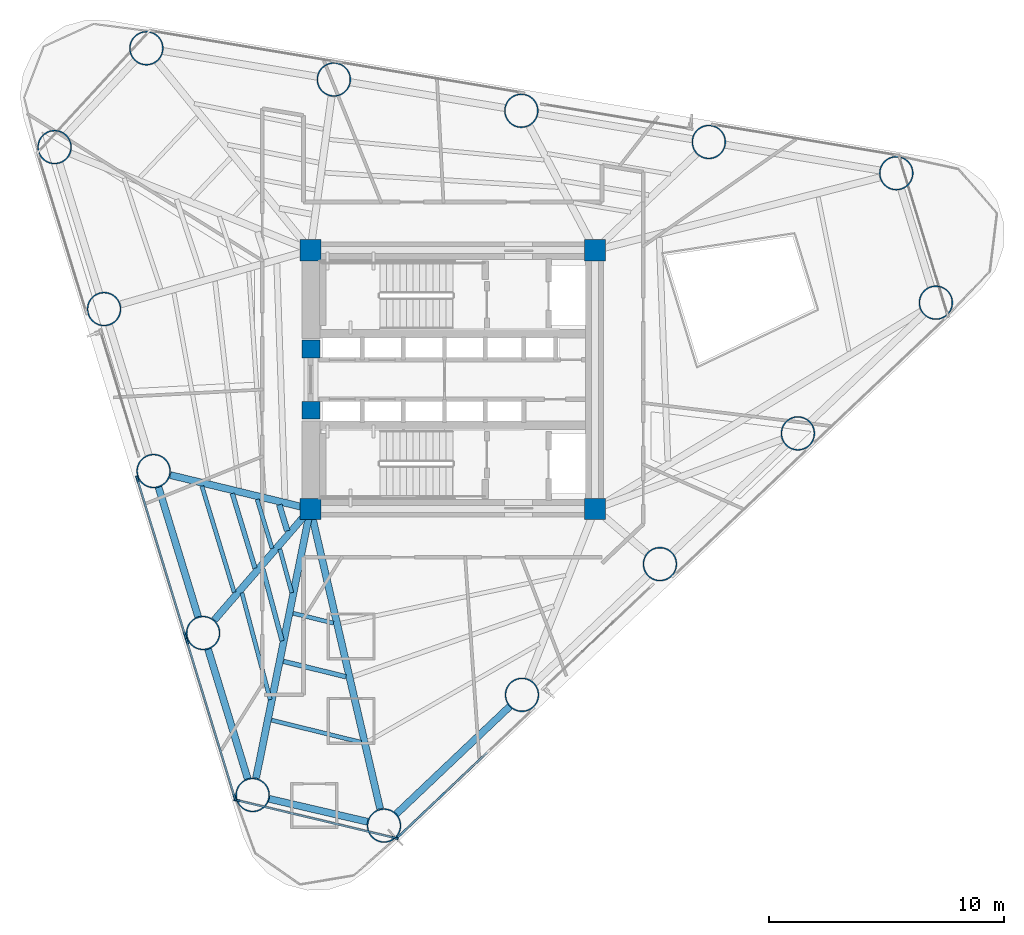
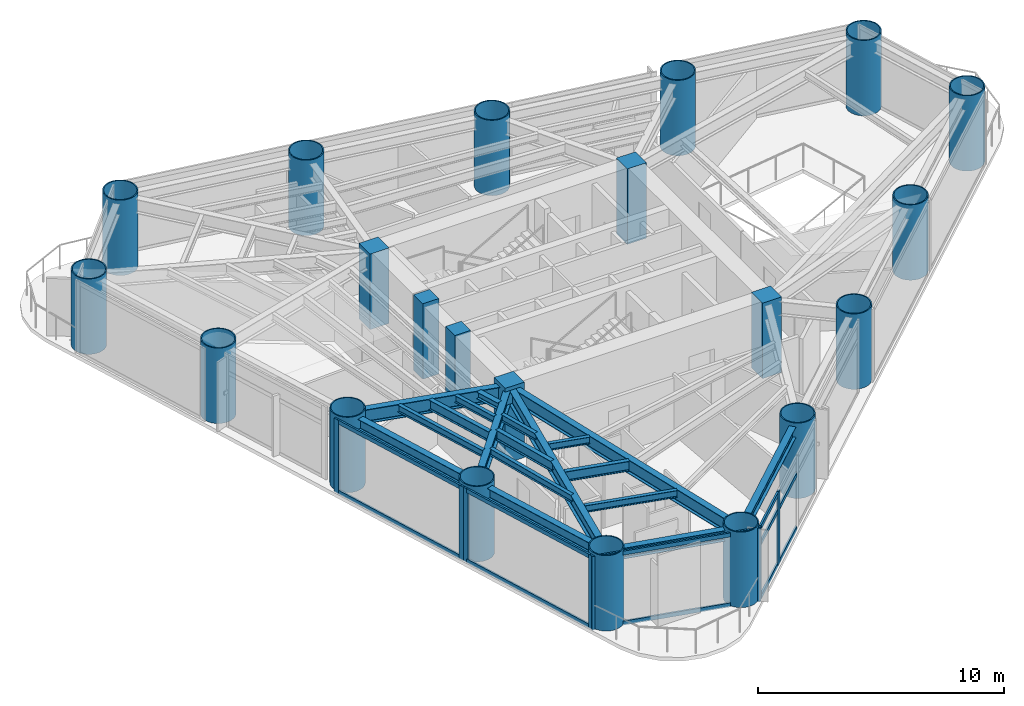
# One storey, part 1 of 10: 21 columns, 19 members, 18 beams, 4 elements without a shape of their own.
"""IFC4 building model written with IfcOpenShell, lengths in metres."""

from ifc_helpers import new_model, si_unit, direction, frame, origin, origin_2d, place, context, subcontext, project, spatial, rectangle, hollow_circle, i_section, extrude, source, transform, mapped, material, layer, layer_set, material_profile, profile_set, type_object, element, aggregate, save


model = new_model("IFC4")

# Units and contexts
model_context = context("Model", 3, precision=1e-05, world=origin(), true_north=direction((0.0, 1.0)))
body_context = subcontext(model_context, "Body", "Model", "MODEL_VIEW")
ifc_project = project(units=[si_unit("LENGTHUNIT", "METRE"), si_unit("AREAUNIT", "SQUARE_METRE"), si_unit("VOLUMEUNIT", "CUBIC_METRE"), si_unit("PLANEANGLEUNIT", "RADIAN"), si_unit("MASSUNIT", "GRAM", prefix="KILO")], contexts=[model_context])

# Site, building, storey
site_placement = place(None, origin())
site = spatial("IfcSite", under=ifc_project, at=site_placement, CompositionType="ELEMENT")
building_placement = place(site_placement, origin())
building = spatial("IfcBuilding", under=site, at=building_placement, Name="Yunling Apex Tower", CompositionType="ELEMENT")
storey_placement = place(building_placement, frame((0.0, 0.0, 101.14990234375)))
storey = spatial("IfcBuildingStorey", under=building, at=storey_placement, Name="L25", CompositionType="ELEMENT", Elevation=101.14990234375)

# Columns
ifc_material_1 = material(Name="Concrete C60", Category="concrete")
ifc_material_profile_1 = material_profile(ifc_material_1, rectangle(XDim=0.89990234375, YDim=0.89990234375, at=origin_2d()))
ifc_profile_set_1 = profile_set([ifc_material_profile_1], Name="Concrete C60")
column_type_1 = type_object("IfcColumnType", Name="PC-SRC-3", PredefinedType="COLUMN", material=ifc_profile_set_1)
shared_shape_1 = source(origin(), body_context, "Body", "SweptSolid", [
    extrude(rectangle(XDim=0.89990234375, YDim=0.89990234375, at=origin_2d()), origin(), (0.0, 0.0, 1.0), 3.75),
])
for number, where, z_axis, x_axis, name in (
    (1, (-6.050048828125, -5.5, 0.0), (0.0, 0.0, 1.0), (1.0, 0.0, 0.0), "L25 Core Spine Column CC-SW"),
    (2, (6.050048828125, -5.5, 0.0), (0.0, 0.0, 1.0), (1.0, 0.0, 0.0), "L25 Core Spine Column CC-SE"),
    (3, (6.050048828125, 5.5, 0.0), (0.0, 0.0, 1.0), (1.0, 0.0, 0.0), "L25 Core Spine Column CC-NE"),
    (4, (-6.050048828125, 5.5, 0.0), (0.0, 0.0, 1.0), (1.0, 0.0, 0.0), "L25 Core Spine Column CC-NW"),
):
    element("IfcColumn", number, at=place(storey_placement, frame(where, z_axis=z_axis, x_axis=x_axis)), inside=storey, type_object=column_type_1, Name=name, PredefinedType="COLUMN", context=body_context, shape_type="MappedRepresentation", body=[
        mapped(shared_shape_1, transform((0.0, 0.0, 0.0), scale=1.0)),
    ])
ifc_material_2 = material(Name="Concrete C50", Category="concrete")
ifc_material_profile_2 = material_profile(ifc_material_2, rectangle(XDim=0.75, YDim=0.75, at=origin_2d()))
ifc_profile_set_2 = profile_set([ifc_material_profile_2], Name="Concrete C50")
column_type_2 = type_object("IfcColumnType", Name="PC-SRC-4", PredefinedType="COLUMN", material=ifc_profile_set_2)
shared_shape_2 = source(origin(), body_context, "Body", "SweptSolid", [
    extrude(rectangle(XDim=0.75, YDim=0.75, at=origin_2d()), origin(), (0.0, 0.0, 1.0), 3.75),
])
for number, where, z_axis, x_axis, name in (
    (5, (-6.02490234375, -1.300048828125, 0.0), (0.0, 0.0, 1.0), (1.0, 0.0, 0.0), "L25 Core West Portal Jamb Column S"),
    (6, (-6.02490234375, 1.300048828125, 0.0), (0.0, 0.0, 1.0), (1.0, 0.0, 0.0), "L25 Core West Portal Jamb Column N"),
):
    element("IfcColumn", number, at=place(storey_placement, frame(where, z_axis=z_axis, x_axis=x_axis)), inside=storey, type_object=column_type_2, Name=name, PredefinedType="COLUMN", context=body_context, shape_type="MappedRepresentation", body=[
        mapped(shared_shape_2, transform((0.0, 0.0, 0.0), scale=1.0)),
    ])
ifc_material_3 = material(Name="Steel Q390GJC", Category="steel")
ifc_material_profile_3 = material_profile(ifc_material_3, hollow_circle(Radius=0.72509765625, WallThickness=0.050048828125, at=origin_2d()))
ifc_profile_set_3 = profile_set([ifc_material_profile_3], Name="Steel Q390GJC")
column_type_3 = type_object("IfcColumnType", Name="MC-CFST-2", PredefinedType="COLUMN", material=ifc_profile_set_3)
shared_shape_3 = source(origin(), body_context, "Body", "SweptSolid", [
    extrude(hollow_circle(Radius=0.72509765625, WallThickness=0.050048828125, at=origin_2d()), origin(), (0.0, 0.0, 1.0), 3.75),
])
for number, where, z_axis, x_axis, name in (
    (7, (-2.92138671875, -18.960205078125, 0.0), (0.0, 0.0, 1.0), (1.0, 0.0, 0.0), "L25 Perimeter CFST Mega-Column P01"),
    (8, (2.943359375, -13.40234375, 0.0), (0.0, 0.0, 1.0), (1.0, 0.0, 0.0), "L25 Perimeter CFST Mega-Column P02"),
    (9, (8.80810546875, -7.8447265625, 0.0), (0.0, 0.0, 1.0), (1.0, 0.0, 0.0), "L25 Perimeter CFST Mega-Column P03"),
    (10, (14.6728515625, -2.287109375, 0.0), (0.0, 0.0, 1.0), (1.0, 0.0, 0.0), "L25 Perimeter CFST Mega-Column P04"),
    (11, (20.53759765625, 3.2705078125, 0.0), (0.0, 0.0, 1.0), (1.0, 0.0, 0.0), "L25 Perimeter CFST Mega-Column P05"),
    (12, (18.855224609375, 8.77294921875, 0.0), (0.0, 0.0, 1.0), (1.0, 0.0, 0.0), "L25 Perimeter CFST Mega-Column P06"),
    (13, (10.88525390625, 10.10107421875, 0.0), (0.0, 0.0, 1.0), (1.0, 0.0, 0.0), "L25 Perimeter CFST Mega-Column P07"),
    (14, (2.915283203125, 11.428955078125, 0.0), (0.0, 0.0, 1.0), (1.0, 0.0, 0.0), "L25 Perimeter CFST Mega-Column P08"),
    (15, (-5.054443359375, 12.757080078125, 0.0), (0.0, 0.0, 1.0), (1.0, 0.0, 0.0), "L25 Perimeter CFST Mega-Column P09"),
    (16, (-13.0244140625, 14.0849609375, 0.0), (0.0, 0.0, 1.0), (1.0, 0.0, 0.0), "L25 Perimeter CFST Mega-Column P10"),
    (17, (-16.927490234375, 9.88330078125, 0.0), (0.0, 0.0, 1.0), (1.0, 0.0, 0.0), "L25 Perimeter CFST Mega-Column P11"),
    (18, (-14.822509765625, 2.99755859375, 0.0), (0.0, 0.0, 1.0), (1.0, 0.0, 0.0), "L25 Perimeter CFST Mega-Column P12"),
    (19, (-12.71728515625, -3.887939453125, 0.0), (0.0, 0.0, 1.0), (1.0, 0.0, 0.0), "L25 Perimeter CFST Mega-Column P13"),
    (20, (-10.612060546875, -10.773681640625, 0.0), (0.0, 0.0, 1.0), (1.0, 0.0, 0.0), "L25 Perimeter CFST Mega-Column P14"),
    (21, (-8.5068359375, -17.6591796875, 0.0), (0.0, 0.0, 1.0), (1.0, 0.0, 0.0), "L25 Perimeter CFST Mega-Column P15"),
):
    element("IfcColumn", number, at=place(storey_placement, frame(where, z_axis=z_axis, x_axis=x_axis)), inside=storey, type_object=column_type_3, Name=name, PredefinedType="COLUMN", context=body_context, shape_type="MappedRepresentation", body=[
        mapped(shared_shape_3, transform((0.0, 0.0, 0.0), scale=1.0)),
    ])

# Beams
ifc_material_4 = material(Name="Steel Q355B", Category="steel")
ifc_material_profile_4 = material_profile(ifc_material_4, i_section(OverallWidth=0.300048828125, OverallDepth=0.5400390625, WebThickness=0.011962890625, FlangeThickness=0.02001953125, FilletRadius=0.02392578125, at=origin_2d()))
ifc_profile_set_4 = profile_set([ifc_material_profile_4], Name="Steel Q355B")
beam_type_1 = type_object("IfcBeamType", Name="BP-SPN-1", PredefinedType="SPANDREL", material=ifc_profile_set_4)
shared_shape_4 = source(origin(), body_context, "Body", "SweptSolid", [
    extrude(i_section(OverallWidth=0.300048828125, OverallDepth=0.5400390625, WebThickness=0.011962890625, FlangeThickness=0.02001953125, FilletRadius=0.02392578125, at=origin_2d()), origin(), (0.0, 0.0, 1.0), 6.6416015625),
])
beam_1_placement = place(storey_placement, frame((-2.3994140625, -18.465576171875, 3.295166015625), z_axis=(0.725837728974, 0.68786596892, 0.0), x_axis=(-0.68786596892, 0.725837728974, 0.0)))
element("IfcBeam", 22, at=beam_1_placement, inside=storey, type_object=beam_type_1, Name="L25 Perimeter Spandrel Beam 1", PredefinedType="SPANDREL", context=body_context, shape_type="MappedRepresentation", body=[
    mapped(shared_shape_4, transform((0.0, 0.0, 0.0), scale=1.0)),
])
shared_shape_5 = source(origin(), body_context, "Body", "SweptSolid", [
    extrude(i_section(OverallWidth=0.300048828125, OverallDepth=0.5400390625, WebThickness=0.011962890625, FlangeThickness=0.02001953125, FilletRadius=0.02392578125, at=origin_2d()), origin(), (0.0, 0.0, 1.0), 5.76220703125),
])
for number, where, z_axis, x_axis, name in (
    (23, (-12.507080078125, -4.57568359375, 3.295166015625), (0.292385374143, -0.956300576695, 0.0), (0.956300576695, 0.292385374143, 0.0), "L25 Perimeter Spandrel Beam 13"),
    (24, (-10.40185546875, -11.461181640625, 3.295166015625), (0.292385374143, -0.956300576695, 0.0), (0.956300576695, 0.292385374143, 0.0), "L25 Perimeter Spandrel Beam 14"),
):
    element("IfcBeam", number, at=place(storey_placement, frame(where, z_axis=z_axis, x_axis=x_axis)), inside=storey, type_object=beam_type_1, Name=name, PredefinedType="SPANDREL", context=body_context, shape_type="MappedRepresentation", body=[
        mapped(shared_shape_5, transform((0.0, 0.0, 0.0), scale=1.0)),
    ])
shared_shape_6 = source(origin(), body_context, "Body", "SweptSolid", [
    extrude(i_section(OverallWidth=0.300048828125, OverallDepth=0.5400390625, WebThickness=0.011962890625, FlangeThickness=0.02001953125, FilletRadius=0.02392578125, at=origin_2d()), origin(), (0.0, 0.0, 1.0), 4.297119140625),
])
beam_2_placement = place(storey_placement, frame((-7.806640625, -17.822509765625, 3.295166015625), z_axis=(0.973939184954, -0.226809312002, 0.0), x_axis=(0.226809312002, 0.973939184954, 0.0)))
element("IfcBeam", 25, at=beam_2_placement, inside=storey, type_object=beam_type_1, Name="L25 Perimeter Spandrel Beam 15", PredefinedType="SPANDREL", context=body_context, shape_type="MappedRepresentation", body=[
    mapped(shared_shape_6, transform((0.0, 0.0, 0.0), scale=1.0)),
])
ifc_material_profile_5 = material_profile(ifc_material_4, i_section(OverallWidth=0.300048828125, OverallDepth=0.699951171875, WebThickness=0.012939453125, FlangeThickness=0.02392578125, FilletRadius=0.02587890625, at=origin_2d()))
ifc_profile_set_5 = profile_set([ifc_material_profile_5], Name="Steel Q355B")
beam_type_2 = type_object("IfcBeamType", Name="BG-PRI-3", PredefinedType="USERDEFINED", material=ifc_profile_set_5)
shared_shape_7 = source(origin(), body_context, "Body", "SweptSolid", [
    extrude(i_section(OverallWidth=0.300048828125, OverallDepth=0.699951171875, WebThickness=0.012939453125, FlangeThickness=0.02392578125, FilletRadius=0.02587890625, at=origin_2d()), origin(), (0.0, 0.0, 1.0), 13.005859375),
])
beam_3_placement = place(storey_placement, frame((-3.08740234375, -18.24609375, 3.215087890625), z_axis=(-0.226402915749, 0.974033736449, 0.0), x_axis=(-0.974033736449, -0.226402915749, 0.0)))
element("IfcBeam", 26, at=beam_3_placement, inside=storey, type_object=beam_type_2, Name="L25 Radial Primary Girder R01", ObjectType="GIRDER", PredefinedType="USERDEFINED", context=body_context, shape_type="MappedRepresentation", body=[
    mapped(shared_shape_7, transform((0.0, 0.0, 0.0), scale=1.0)),
])
shared_shape_8 = source(origin(), body_context, "Body", "SweptSolid", [
    extrude(i_section(OverallWidth=0.300048828125, OverallDepth=0.699951171875, WebThickness=0.012939453125, FlangeThickness=0.02392578125, FilletRadius=0.02587890625, at=origin_2d()), origin(), (0.0, 0.0, 1.0), 6.046630859375),
])
beam_4_placement = place(storey_placement, frame((-12.0048828125, -4.060302734375, 3.215087890625), z_axis=(0.971996717199, -0.234994429199, 0.0), x_axis=(0.234994429199, 0.971996717199, 0.0)))
element("IfcBeam", 27, at=beam_4_placement, inside=storey, type_object=beam_type_2, Name="L25 Radial Primary Girder R13", ObjectType="GIRDER", PredefinedType="USERDEFINED", context=body_context, shape_type="MappedRepresentation", body=[
    mapped(shared_shape_8, transform((0.0, 0.0, 0.0), scale=1.0)),
])
shared_shape_9 = source(origin(), body_context, "Body", "SweptSolid", [
    extrude(i_section(OverallWidth=0.300048828125, OverallDepth=0.699951171875, WebThickness=0.012939453125, FlangeThickness=0.02392578125, FilletRadius=0.02587890625, at=origin_2d()), origin(), (0.0, 0.0, 1.0), 6.16015625),
])
beam_5_placement = place(storey_placement, frame((-10.132568359375, -10.21923828125, 3.215087890625), z_axis=(0.654257326822, 0.756272008142, 0.0), x_axis=(-0.756272008142, 0.654257326822, 0.0)))
element("IfcBeam", 28, at=beam_5_placement, inside=storey, type_object=beam_type_2, Name="L25 Radial Primary Girder R14", ObjectType="GIRDER", PredefinedType="USERDEFINED", context=body_context, shape_type="MappedRepresentation", body=[
    mapped(shared_shape_9, transform((0.0, 0.0, 0.0), scale=1.0)),
])
shared_shape_10 = source(origin(), body_context, "Body", "SweptSolid", [
    extrude(i_section(OverallWidth=0.300048828125, OverallDepth=0.699951171875, WebThickness=0.012939453125, FlangeThickness=0.02392578125, FilletRadius=0.02587890625, at=origin_2d()), origin(), (0.0, 0.0, 1.0), 11.59228515625),
])
beam_6_placement = place(storey_placement, frame((-8.36181640625, -16.94091796875, 3.215087890625), z_axis=(0.198055775124, 0.980190751813, 0.0), x_axis=(-0.980190751813, 0.198055775124, 0.0)))
element("IfcBeam", 29, at=beam_6_placement, inside=storey, type_object=beam_type_2, Name="L25 Radial Primary Girder R15", ObjectType="GIRDER", PredefinedType="USERDEFINED", context=body_context, shape_type="MappedRepresentation", body=[
    mapped(shared_shape_10, transform((0.0, 0.0, 0.0), scale=1.0)),
])
ifc_material_profile_6 = material_profile(ifc_material_4, i_section(OverallWidth=0.199951171875, OverallDepth=0.5, WebThickness=0.010009765625, FlangeThickness=0.01611328125, FilletRadius=0.02001953125, at=origin_2d()))
ifc_profile_set_6 = profile_set([ifc_material_profile_6], Name="Steel Q355B")
beam_type_3 = type_object("IfcBeamType", Name="BS-SEC-2", PredefinedType="BEAM", material=ifc_profile_set_6)
shared_shape_11 = source(origin(), body_context, "Body", "SweptSolid", [
    extrude(i_section(OverallWidth=0.199951171875, OverallDepth=0.5, WebThickness=0.010009765625, FlangeThickness=0.01611328125, FilletRadius=0.02001953125, at=origin_2d()), origin(), (0.0, 0.0, 1.0), 3.321533203125),
])
beam_7_placement = place(storey_placement, frame((-9.372314453125, -4.838623046875, 3.315185546875), z_axis=(0.291000743066, -0.956722826912, 0.0), x_axis=(0.956722826912, 0.291000743066, 0.0)))
element("IfcBeam", 30, at=beam_7_placement, inside=storey, type_object=beam_type_3, Name="L25 Composite Floor Beam BS-13", PredefinedType="BEAM", context=body_context, shape_type="MappedRepresentation", body=[
    mapped(shared_shape_11, transform((0.0, 0.0, 0.0), scale=1.0)),
])
ifc_material_profile_7 = material_profile(ifc_material_4, i_section(OverallWidth=0.175048828125, OverallDepth=0.35009765625, WebThickness=0.007080078125, FlangeThickness=0.010986328125, FilletRadius=0.013916015625, at=origin_2d()))
ifc_profile_set_7 = profile_set([ifc_material_profile_7], Name="Steel Q355B")
beam_type_4 = type_object("IfcBeamType", Name="BJ-JST-1", PredefinedType="JOIST", material=ifc_profile_set_7)
shared_shape_12 = source(origin(), body_context, "Body", "SweptSolid", [
    extrude(i_section(OverallWidth=0.175048828125, OverallDepth=0.35009765625, WebThickness=0.007080078125, FlangeThickness=0.010986328125, FilletRadius=0.013916015625, at=origin_2d()), origin(), (0.0, 0.0, 1.0), 4.719482421875),
])
beam_8_placement = place(storey_placement, frame((-10.665283203125, -4.52587890625, 3.39013671875), z_axis=(0.290881649014, -0.95675904295, 0.0), x_axis=(0.95675904295, 0.290881649014, 0.0)))
element("IfcBeam", 31, at=beam_8_placement, inside=storey, type_object=beam_type_4, Name="L25 Composite Floor Joist BJ1-13", PredefinedType="JOIST", context=body_context, shape_type="MappedRepresentation", body=[
    mapped(shared_shape_12, transform((0.0, 0.0, 0.0), scale=1.0)),
])
shared_shape_13 = source(origin(), body_context, "Body", "SweptSolid", [
    extrude(i_section(OverallWidth=0.175048828125, OverallDepth=0.35009765625, WebThickness=0.007080078125, FlangeThickness=0.010986328125, FilletRadius=0.013916015625, at=origin_2d()), origin(), (0.0, 0.0, 1.0), 2.177734375),
])
beam_9_placement = place(storey_placement, frame((-8.314453125, -5.09423828125, 3.39013671875), z_axis=(0.291130389824, -0.956683383425, 0.0), x_axis=(0.956683383425, 0.291130389824, 0.0)))
element("IfcBeam", 32, at=beam_9_placement, inside=storey, type_object=beam_type_4, Name="L25 Composite Floor Joist BJ3-13", PredefinedType="JOIST", context=body_context, shape_type="MappedRepresentation", body=[
    mapped(shared_shape_13, transform((0.0, 0.0, 0.0), scale=1.0)),
])
ifc_material_profile_8 = material_profile(ifc_material_4, i_section(OverallWidth=0.25, OverallDepth=0.340087890625, WebThickness=0.009033203125, FlangeThickness=0.013916015625, FilletRadius=0.01806640625, at=origin_2d()))
ifc_profile_set_8 = profile_set([ifc_material_profile_8], Name="Steel Q355B")
beam_type_5 = type_object("IfcBeamType", Name="BJ-JST-2", PredefinedType="JOIST", material=ifc_profile_set_8)
shared_shape_14 = source(origin(), body_context, "Body", "SweptSolid", [
    extrude(i_section(OverallWidth=0.25, OverallDepth=0.340087890625, WebThickness=0.009033203125, FlangeThickness=0.013916015625, FilletRadius=0.01806640625, at=origin_2d()), origin(), (0.0, 0.0, 1.0), 1.160888671875),
])
beam_10_placement = place(storey_placement, frame((-7.3740234375, -5.32177734375, 3.39501953125), z_axis=(0.291454472577, -0.956584701119, 0.0), x_axis=(0.956584701119, 0.291454472577, 0.0)))
element("IfcBeam", 33, at=beam_10_placement, inside=storey, type_object=beam_type_5, Name="L25 Composite Floor Joist BJ2-13", PredefinedType="JOIST", context=body_context, shape_type="MappedRepresentation", body=[
    mapped(shared_shape_14, transform((0.0, 0.0, 0.0), scale=1.0)),
])
shared_shape_15 = source(origin(), body_context, "Body", "SweptSolid", [
    extrude(i_section(OverallWidth=0.199951171875, OverallDepth=0.5, WebThickness=0.010009765625, FlangeThickness=0.01611328125, FilletRadius=0.02001953125, at=origin_2d()), origin(), (0.0, 0.0, 1.0), 3.168701171875),
])
beam_11_placement = place(storey_placement, frame((-8.075927734375, -8.04443359375, 3.315185546875), z_axis=(0.259033901524, -0.965868230071, 0.0), x_axis=(0.965868230071, 0.259033901524, 0.0)))
element("IfcBeam", 34, at=beam_11_placement, inside=storey, type_object=beam_type_3, Name="L25 Composite Floor Beam BS-14", PredefinedType="BEAM", context=body_context, shape_type="MappedRepresentation", body=[
    mapped(shared_shape_15, transform((0.0, 0.0, 0.0), scale=1.0)),
])
shared_shape_16 = source(origin(), body_context, "Body", "SweptSolid", [
    extrude(i_section(OverallWidth=0.175048828125, OverallDepth=0.35009765625, WebThickness=0.007080078125, FlangeThickness=0.010986328125, FilletRadius=0.013916015625, at=origin_2d()), origin(), (0.0, 0.0, 1.0), 4.69189453125),
])
beam_12_placement = place(storey_placement, frame((-8.962890625, -9.069580078125, 3.39013671875), z_axis=(0.256370213066, -0.966578664079, 0.0), x_axis=(0.966578664079, 0.256370213066, 0.0)))
element("IfcBeam", 35, at=beam_12_placement, inside=storey, type_object=beam_type_4, Name="L25 Composite Floor Joist BJ1-14", PredefinedType="JOIST", context=body_context, shape_type="MappedRepresentation", body=[
    mapped(shared_shape_16, transform((0.0, 0.0, 0.0), scale=1.0)),
])
shared_shape_17 = source(origin(), body_context, "Body", "SweptSolid", [
    extrude(i_section(OverallWidth=0.175048828125, OverallDepth=0.35009765625, WebThickness=0.007080078125, FlangeThickness=0.010986328125, FilletRadius=0.013916015625, at=origin_2d()), origin(), (0.0, 0.0, 1.0), 1.92236328125),
])
beam_13_placement = place(storey_placement, frame((-7.349853515625, -7.205810546875, 3.39013671875), z_axis=(0.263783616245, -0.964581880299, 0.0), x_axis=(0.964581880299, 0.263783616245, 0.0)))
element("IfcBeam", 36, at=beam_13_placement, inside=storey, type_object=beam_type_4, Name="L25 Composite Floor Joist BJ3-14", PredefinedType="JOIST", context=body_context, shape_type="MappedRepresentation", body=[
    mapped(shared_shape_17, transform((0.0, 0.0, 0.0), scale=1.0)),
])
shared_shape_18 = source(origin(), body_context, "Body", "SweptSolid", [
    extrude(i_section(OverallWidth=0.199951171875, OverallDepth=0.5, WebThickness=0.010009765625, FlangeThickness=0.01611328125, FilletRadius=0.02001953125, at=origin_2d()), origin(), (0.0, 0.0, 1.0), 2.737060546875),
])
beam_14_placement = place(storey_placement, frame((-7.196044921875, -11.9794921875, 3.315185546875), z_axis=(0.971007234619, -0.239050100016, 0.0), x_axis=(0.239050100016, 0.971007234619, 0.0)))
element("IfcBeam", 37, at=beam_14_placement, inside=storey, type_object=beam_type_3, Name="L25 Composite Floor Beam BS-15", PredefinedType="BEAM", context=body_context, shape_type="MappedRepresentation", body=[
    mapped(shared_shape_18, transform((0.0, 0.0, 0.0), scale=1.0)),
])
shared_shape_19 = source(origin(), body_context, "Body", "SweptSolid", [
    extrude(i_section(OverallWidth=0.175048828125, OverallDepth=0.35009765625, WebThickness=0.007080078125, FlangeThickness=0.010986328125, FilletRadius=0.013916015625, at=origin_2d()), origin(), (0.0, 0.0, 1.0), 3.925537109375),
])
beam_15_placement = place(storey_placement, frame((-7.701416015625, -14.4794921875, 3.39013671875), z_axis=(0.970833614746, -0.239754233494, 0.0), x_axis=(0.239754233494, 0.970833614746, 0.0)))
element("IfcBeam", 38, at=beam_15_placement, inside=storey, type_object=beam_type_4, Name="L25 Composite Floor Joist BJ1-15", PredefinedType="JOIST", context=body_context, shape_type="MappedRepresentation", body=[
    mapped(shared_shape_19, transform((0.0, 0.0, 0.0), scale=1.0)),
])
shared_shape_20 = source(origin(), body_context, "Body", "SweptSolid", [
    extrude(i_section(OverallWidth=0.175048828125, OverallDepth=0.35009765625, WebThickness=0.007080078125, FlangeThickness=0.010986328125, FilletRadius=0.013916015625, at=origin_2d()), origin(), (0.0, 0.0, 1.0), 1.764892578125),
])
beam_16_placement = place(storey_placement, frame((-6.78271484375, -9.93408203125, 3.39013671875), z_axis=(0.971318830932, -0.237780841694, 0.0), x_axis=(0.237780841694, 0.971318830932, 0.0)))
element("IfcBeam", 39, at=beam_16_placement, inside=storey, type_object=beam_type_4, Name="L25 Composite Floor Joist BJ3-15", PredefinedType="JOIST", context=body_context, shape_type="MappedRepresentation", body=[
    mapped(shared_shape_20, transform((0.0, 0.0, 0.0), scale=1.0)),
])

# Curtain wall, members
ifc_material_5 = material(Name="Bronze anodised aluminium", Category="aluminium")
ifc_layer = layer(ifc_material_5, 0.260009765625)
ifc_layer_set = layer_set([ifc_layer], Name="Bronze anodised aluminium")
curtain_wall_type = type_object("IfcCurtainWallType", Name="CW-SYS-2", PredefinedType="NOTDEFINED", material=ifc_layer_set)
curtain_wall_1_placement = place(storey_placement, origin())
curtain_wall_1 = element("IfcCurtainWall", 40, at=curtain_wall_1_placement, inside=storey, type_object=curtain_wall_type, Name="CW-L25-F1-B1", PredefinedType="NOTDEFINED")
ifc_material_profile_9 = material_profile(ifc_material_5, rectangle(XDim=0.0849609375, YDim=0.260009765625, at=origin_2d()))
ifc_profile_set_9 = profile_set([ifc_material_profile_9], Name="Bronze anodised aluminium")
member_type_1 = type_object("IfcMemberType", Name="CW-MUL-2", PredefinedType="MULLION", material=ifc_profile_set_9)
shared_shape_21 = source(origin(), body_context, "Body", "SweptSolid", [
    extrude(rectangle(XDim=0.0849609375, YDim=0.260009765625, at=origin_2d()), origin(), (0.0, 0.0, 1.0), 3.664794921875),
])
member_1_placement = place(storey_placement, frame((-2.3095703125, -19.427490234375, -0.0498046875), z_axis=(0.0, 0.0, 1.0), x_axis=(-0.687861264918, 0.72584218686, 0.0)))
member_1 = element("IfcMember", 41, at=member_1_placement, type_object=member_type_1, Name="CW-SYS-2 mullion 1", PredefinedType="MULLION", context=body_context, shape_type="MappedRepresentation", body=[
    mapped(shared_shape_21, transform((0.0, 0.0, 0.0), scale=1.0)),
])
member_2_placement = place(storey_placement, frame((-0.42431640625, -17.640869140625, -0.0498046875), z_axis=(0.0, 0.0, 1.0), x_axis=(-0.687861264918, 0.72584218686, 0.0)))
member_2 = element("IfcMember", 42, at=member_2_placement, type_object=member_type_1, Name="CW-SYS-2 mullion 2", PredefinedType="MULLION", context=body_context, shape_type="MappedRepresentation", body=[
    mapped(shared_shape_21, transform((0.0, 0.0, 0.0), scale=1.0)),
])

curtain_wall_2_placement = place(storey_placement, origin())
curtain_wall_2 = element("IfcCurtainWall", 43, at=curtain_wall_2_placement, inside=storey, type_object=curtain_wall_type, Name="CW-L25-F3-B3", PredefinedType="NOTDEFINED")
member_3_placement = place(storey_placement, frame((-13.408203125, -4.227294921875, -0.0498046875), z_axis=(0.0, 0.0, 1.0), x_axis=(0.956304476342, 0.292372619321, 0.0)))
member_3 = element("IfcMember", 44, at=member_3_placement, type_object=member_type_1, Name="CW-SYS-2 mullion 1", PredefinedType="MULLION", context=body_context, shape_type="MappedRepresentation", body=[
    mapped(shared_shape_21, transform((0.0, 0.0, 0.0), scale=1.0)),
])
member_4_placement = place(storey_placement, frame((-11.374755859375, -10.878662109375, -0.0498046875), z_axis=(0.0, 0.0, 1.0), x_axis=(0.956304476342, 0.292372619321, 0.0)))
member_4 = element("IfcMember", 45, at=member_4_placement, type_object=member_type_1, Name="CW-SYS-2 mullion 2", PredefinedType="MULLION", context=body_context, shape_type="MappedRepresentation", body=[
    mapped(shared_shape_21, transform((0.0, 0.0, 0.0), scale=1.0)),
])

curtain_wall_3_placement = place(storey_placement, origin())
curtain_wall_3 = element("IfcCurtainWall", 46, at=curtain_wall_3_placement, inside=storey, type_object=curtain_wall_type, Name="CW-L25-F3-B4", PredefinedType="NOTDEFINED")
member_5_placement = place(storey_placement, frame((-11.302978515625, -11.113037109375, -0.0498046875), z_axis=(0.0, 0.0, 1.0), x_axis=(0.956304476342, 0.292372619321, 0.0)))
member_5 = element("IfcMember", 47, at=member_5_placement, type_object=member_type_1, Name="CW-SYS-2 mullion 1", PredefinedType="MULLION", context=body_context, shape_type="MappedRepresentation", body=[
    mapped(shared_shape_21, transform((0.0, 0.0, 0.0), scale=1.0)),
])
member_6_placement = place(storey_placement, frame((-9.26953125, -17.764404296875, -0.0498046875), z_axis=(0.0, 0.0, 1.0), x_axis=(0.956304476342, 0.292372619321, 0.0)))
member_6 = element("IfcMember", 48, at=member_6_placement, type_object=member_type_1, Name="CW-SYS-2 mullion 2", PredefinedType="MULLION", context=body_context, shape_type="MappedRepresentation", body=[
    mapped(shared_shape_21, transform((0.0, 0.0, 0.0), scale=1.0)),
])

curtain_wall_4_placement = place(storey_placement, origin())
curtain_wall_4 = element("IfcCurtainWall", 49, at=curtain_wall_4_placement, inside=storey, type_object=curtain_wall_type, Name="CW-L25-CRN3", PredefinedType="NOTDEFINED")
member_7_placement = place(storey_placement, frame((-9.17333984375, -17.885498046875, -0.0498046875), z_axis=(0.0, 0.0, 1.0), x_axis=(0.23189504865, 0.972740811528, 0.0)))
member_7 = element("IfcMember", 50, at=member_7_placement, type_object=member_type_1, Name="CW-SYS-2 mullion 1", PredefinedType="MULLION", context=body_context, shape_type="MappedRepresentation", body=[
    mapped(shared_shape_21, transform((0.0, 0.0, 0.0), scale=1.0)),
])
member_8_placement = place(storey_placement, frame((-2.453857421875, -19.487548828125, -0.0498046875), z_axis=(0.0, 0.0, 1.0), x_axis=(0.23189504865, 0.972740811528, 0.0)))
member_8 = element("IfcMember", 51, at=member_8_placement, type_object=member_type_1, Name="CW-SYS-2 mullion 2", PredefinedType="MULLION", context=body_context, shape_type="MappedRepresentation", body=[
    mapped(shared_shape_21, transform((0.0, 0.0, 0.0), scale=1.0)),
])

# Member
ifc_material_profile_10 = material_profile(ifc_material_5, rectangle(XDim=0.0849609375, YDim=0.199951171875, at=origin_2d()))
ifc_profile_set_10 = profile_set([ifc_material_profile_10], Name="Bronze anodised aluminium")
member_type_2 = type_object("IfcMemberType", Name="CW-TRN-2", PredefinedType="USERDEFINED", material=ifc_profile_set_10)
shared_shape_22 = source(origin(), body_context, "Body", "SweptSolid", [
    extrude(rectangle(XDim=0.0849609375, YDim=0.199951171875, at=origin_2d()), origin(), (0.0, 0.0, 1.0), 2.52099609375),
])
member_9_placement = place(storey_placement, frame((-2.281982421875, -19.4013671875, 0.04248046875), z_axis=(0.725833069148, 0.687870885945, 0.0), x_axis=(-0.687870885945, 0.725833069148, 0.0)))
member_9 = element("IfcMember", 52, at=member_9_placement, type_object=member_type_2, Name="CW-SYS-2 transom 1.1", ObjectType="TRANSOM", PredefinedType="USERDEFINED", context=body_context, shape_type="MappedRepresentation", body=[
    mapped(shared_shape_22, transform((0.0, 0.0, 0.0), scale=1.0)),
])

member_10_placement = place(storey_placement, frame((-2.281982421875, -19.4013671875, 2.715087890625), z_axis=(0.725833069148, 0.687870885945, 0.0), x_axis=(-0.687870885945, 0.725833069148, 0.0)))
member_10 = element("IfcMember", 53, at=member_10_placement, type_object=member_type_2, Name="CW-SYS-2 transom 1.2", ObjectType="TRANSOM", PredefinedType="USERDEFINED", context=body_context, shape_type="MappedRepresentation", body=[
    mapped(shared_shape_22, transform((0.0, 0.0, 0.0), scale=1.0)),
])

member_11_placement = place(storey_placement, frame((-2.281982421875, -19.4013671875, 3.522705078125), z_axis=(0.725833069148, 0.687870885945, 0.0), x_axis=(-0.687870885945, 0.725833069148, 0.0)))
member_11 = element("IfcMember", 54, at=member_11_placement, type_object=member_type_2, Name="CW-SYS-2 transom 1.3", ObjectType="TRANSOM", PredefinedType="USERDEFINED", context=body_context, shape_type="MappedRepresentation", body=[
    mapped(shared_shape_22, transform((0.0, 0.0, 0.0), scale=1.0)),
])

shared_shape_23 = source(origin(), body_context, "Body", "SweptSolid", [
    extrude(rectangle(XDim=0.0849609375, YDim=0.199951171875, at=origin_2d()), origin(), (0.0, 0.0, 1.0), 2.563232421875),
])
member_12_placement = place(storey_placement, frame((-0.396484375, -17.614501953125, 0.04248046875), z_axis=(0.725852566003, 0.687850312515, 0.0), x_axis=(-0.687850312515, 0.725852566003, 0.0)))
member_12 = element("IfcMember", 55, at=member_12_placement, type_object=member_type_2, Name="CW-SYS-2 transom 2.1", ObjectType="TRANSOM", PredefinedType="USERDEFINED", context=body_context, shape_type="MappedRepresentation", body=[
    mapped(shared_shape_23, transform((0.0, 0.0, 0.0), scale=1.0)),
])

member_13_placement = place(storey_placement, frame((-0.396484375, -17.614501953125, 2.715087890625), z_axis=(0.725852566003, 0.687850312515, 0.0), x_axis=(-0.687850312515, 0.725852566003, 0.0)))
member_13 = element("IfcMember", 56, at=member_13_placement, type_object=member_type_2, Name="CW-SYS-2 transom 2.2", ObjectType="TRANSOM", PredefinedType="USERDEFINED", context=body_context, shape_type="MappedRepresentation", body=[
    mapped(shared_shape_23, transform((0.0, 0.0, 0.0), scale=1.0)),
])

aggregate(curtain_wall_1, [member_1, member_2, member_9, member_10, member_11, member_12, member_13])

shared_shape_24 = source(origin(), body_context, "Body", "SweptSolid", [
    extrude(rectangle(XDim=0.0849609375, YDim=0.199951171875, at=origin_2d()), origin(), (0.0, 0.0, 1.0), 6.831298828125),
])
member_14_placement = place(storey_placement, frame((-9.135986328125, -17.89453125, 0.04248046875), z_axis=(0.972745593735, -0.231874987587, 0.0), x_axis=(0.231874987587, 0.972745593735, 0.0)))
member_14 = element("IfcMember", 57, at=member_14_placement, type_object=member_type_2, Name="CW-SYS-2 transom 1.1", ObjectType="TRANSOM", PredefinedType="USERDEFINED", context=body_context, shape_type="MappedRepresentation", body=[
    mapped(shared_shape_24, transform((0.0, 0.0, 0.0), scale=1.0)),
])

member_15_placement = place(storey_placement, frame((-9.135986328125, -17.89453125, 3.522705078125), z_axis=(0.972745593735, -0.231874987587, 0.0), x_axis=(0.231874987587, 0.972745593735, 0.0)))
member_15 = element("IfcMember", 58, at=member_15_placement, type_object=member_type_2, Name="CW-SYS-2 transom 1.2", ObjectType="TRANSOM", PredefinedType="USERDEFINED", context=body_context, shape_type="MappedRepresentation", body=[
    mapped(shared_shape_24, transform((0.0, 0.0, 0.0), scale=1.0)),
])

aggregate(curtain_wall_4, [member_7, member_8, member_14, member_15])

shared_shape_25 = source(origin(), body_context, "Body", "SweptSolid", [
    extrude(rectangle(XDim=0.0849609375, YDim=0.199951171875, at=origin_2d()), origin(), (0.0, 0.0, 1.0), 6.878662109375),
])
member_16_placement = place(storey_placement, frame((-11.2919921875, -11.149658203125, 0.04248046875), z_axis=(0.29238444517, -0.956300860725, 0.0), x_axis=(0.956300860725, 0.29238444517, 0.0)))
member_16 = element("IfcMember", 59, at=member_16_placement, type_object=member_type_2, Name="CW-SYS-2 transom 1.1", ObjectType="TRANSOM", PredefinedType="USERDEFINED", context=body_context, shape_type="MappedRepresentation", body=[
    mapped(shared_shape_25, transform((0.0, 0.0, 0.0), scale=1.0)),
])

member_17_placement = place(storey_placement, frame((-11.2919921875, -11.149658203125, 3.522705078125), z_axis=(0.29238444517, -0.956300860725, 0.0), x_axis=(0.956300860725, 0.29238444517, 0.0)))
member_17 = element("IfcMember", 60, at=member_17_placement, type_object=member_type_2, Name="CW-SYS-2 transom 1.2", ObjectType="TRANSOM", PredefinedType="USERDEFINED", context=body_context, shape_type="MappedRepresentation", body=[
    mapped(shared_shape_25, transform((0.0, 0.0, 0.0), scale=1.0)),
])

aggregate(curtain_wall_3, [member_5, member_6, member_16, member_17])

shared_shape_26 = source(origin(), body_context, "Body", "SweptSolid", [
    extrude(rectangle(XDim=0.0849609375, YDim=0.199951171875, at=origin_2d()), origin(), (0.0, 0.0, 1.0), 6.87890625),
])
member_18_placement = place(storey_placement, frame((-13.39697265625, -4.263916015625, 0.04248046875), z_axis=(0.29234206402, -0.956313817533, 0.0), x_axis=(0.956313817533, 0.29234206402, 0.0)))
member_18 = element("IfcMember", 61, at=member_18_placement, type_object=member_type_2, Name="CW-SYS-2 transom 1.1", ObjectType="TRANSOM", PredefinedType="USERDEFINED", context=body_context, shape_type="MappedRepresentation", body=[
    mapped(shared_shape_26, transform((0.0, 0.0, 0.0), scale=1.0)),
])

member_19_placement = place(storey_placement, frame((-13.39697265625, -4.263916015625, 3.522705078125), z_axis=(0.29234206402, -0.956313817533, 0.0), x_axis=(0.956313817533, 0.29234206402, 0.0)))
member_19 = element("IfcMember", 62, at=member_19_placement, type_object=member_type_2, Name="CW-SYS-2 transom 1.2", ObjectType="TRANSOM", PredefinedType="USERDEFINED", context=body_context, shape_type="MappedRepresentation", body=[
    mapped(shared_shape_26, transform((0.0, 0.0, 0.0), scale=1.0)),
])

aggregate(curtain_wall_2, [member_3, member_4, member_18, member_19])

save(model, "model.ifc")
